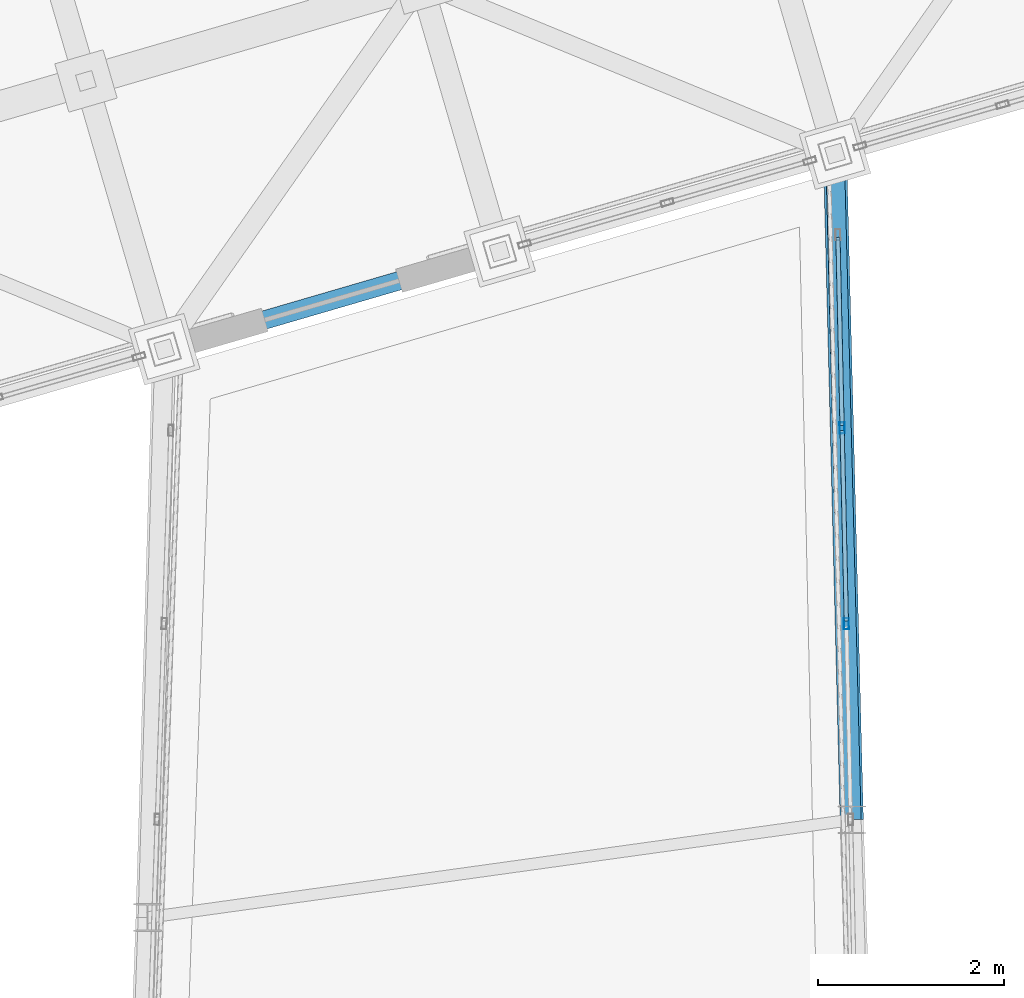
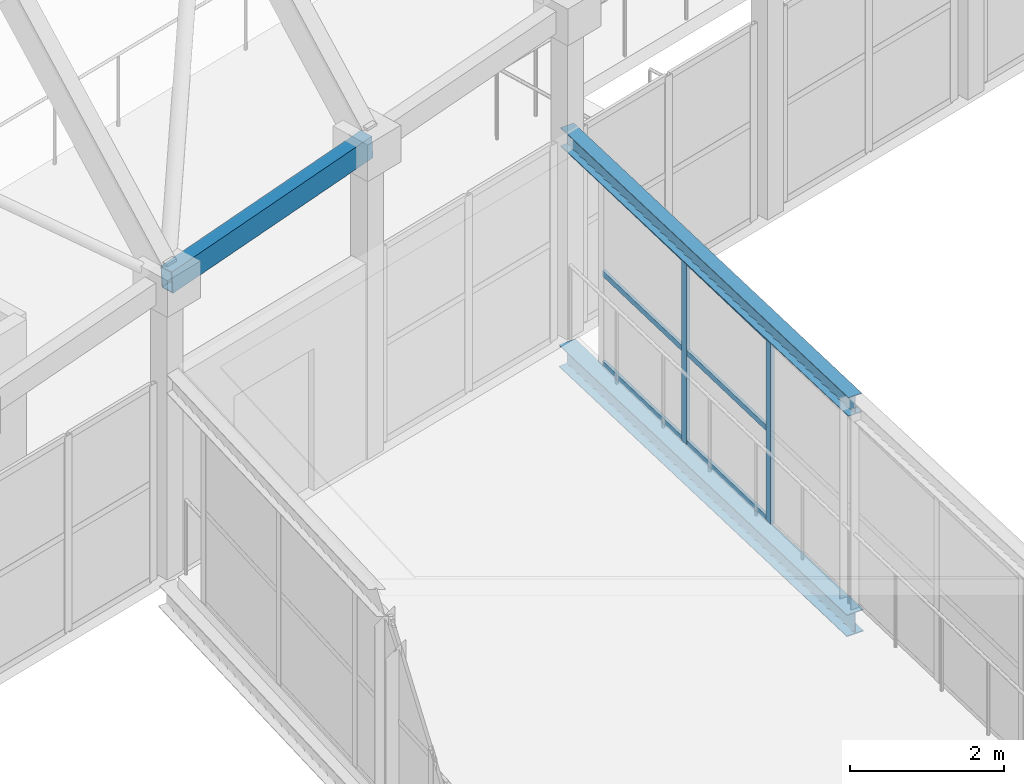
# One storey, part 43 of 248: 10 members, 1 beam, 1 element without a shape of its own.
"""IFC4 building model written with IfcOpenShell, lengths in metres."""

import ifcopenshell
import ifcopenshell.guid

model = None  # the IFC model being written
_history = None  # IfcOwnerHistory: only IFC2X3 demands one
_inside = {}  # id of a spatial element -> (the spatial element, [elements in it])
_under = {}  # id of a project, library or spatial element -> (it, [spatial elements below it])
_declared = {}  # id of a project -> (the project, [libraries it declares])
_typed = {}  # id of a type object -> (the type object, [elements of that type])
_made_of = {}  # id of a material, layer set ... -> (it, [elements and type objects made of it])


def new_model(schema):
    """Start an empty IFC model of exactly this schema.

    Asked for "IFC4X3", IfcOpenShell would pick the latest addendum, in which some entities
    have other attributes; the version numbers below select the first issue.
    IFC2X3 requires an IfcOwnerHistory on every rooted entity: one is made here for all.
    """
    global model, _history
    if schema == "IFC4X3":
        model = ifcopenshell.file(schema_version=(4, 3, 0, 0))
    else:
        model = ifcopenshell.file(schema=schema)
    _inside.clear()
    _under.clear()
    _declared.clear()
    _typed.clear()
    _made_of.clear()
    _history = None
    if model.schema == "IFC2X3":
        org = make("IfcOrganization", Name="unknown")
        user = make(
            "IfcPersonAndOrganization",
            ThePerson=make("IfcPerson", FamilyName="unknown"),
            TheOrganization=org,
        )
        app = make(
            "IfcApplication",
            ApplicationDeveloper=org,
            Version="unknown",
            ApplicationFullName="unknown",
            ApplicationIdentifier="unknown",
        )
        _history = make(
            "IfcOwnerHistory",
            OwningUser=user,
            OwningApplication=app,
            ChangeAction="ADDED",
            CreationDate=0,
        )
    return model


def make(cls, **values):
    """One entity of the class cls with the attributes given. An attribute that is None is left unset."""
    return model.create_entity(
        cls, **{name: value for name, value in values.items() if value is not None}
    )


def rooted(cls, **values):
    """An entity with a GlobalId (a new one), such as an element, a storey or a relation."""
    return make(cls, GlobalId=ifcopenshell.guid.new(), OwnerHistory=_history, **values)


def si_unit(unit_type, name, prefix=None):
    """IfcSIUnit, for example si_unit("LENGTHUNIT", "METRE", prefix="MILLI")."""
    return make("IfcSIUnit", UnitType=unit_type, Prefix=prefix, Name=name)


def assignment(units):
    """IfcUnitAssignment: the units of a project."""
    return None if units is None else make("IfcUnitAssignment", Units=units)


def point(xyz):
    """IfcCartesianPoint."""
    return None if xyz is None else make("IfcCartesianPoint", Coordinates=xyz)


def direction(xyz):
    """IfcDirection."""
    return None if xyz is None else make("IfcDirection", DirectionRatios=xyz)


def frame(location, z_axis=None, x_axis=None):
    """IfcAxis2Placement3D, a coordinate frame: its origin and axes. An axis left out is left unset."""
    return make(
        "IfcAxis2Placement3D",
        Location=point(location),
        Axis=direction(z_axis),
        RefDirection=direction(x_axis),
    )


def frame_2d(location, x_axis=None):
    """IfcAxis2Placement2D, a coordinate frame in the plane: its origin and x axis."""
    return make(
        "IfcAxis2Placement2D", Location=point(location), RefDirection=direction(x_axis)
    )


def origin():
    """The frame at (0, 0, 0) with its axes left unset."""
    return frame((0.0, 0.0, 0.0))


def origin_2d():
    """The frame at (0, 0) in the plane with its x axis left unset."""
    return frame_2d((0.0, 0.0))


def place(relative_to, where):
    """IfcLocalPlacement: puts the frame where relative to a parent placement (None: the world)."""
    return make(
        "IfcLocalPlacement", PlacementRelTo=relative_to, RelativePlacement=where
    )


def context(
    kind, dimensions, precision=None, world=None, true_north=None, identifier=None
):
    """IfcGeometricRepresentationContext, for example the 3D "Model" context."""
    return make(
        "IfcGeometricRepresentationContext",
        ContextIdentifier=identifier,
        ContextType=kind,
        CoordinateSpaceDimension=dimensions,
        Precision=precision,
        WorldCoordinateSystem=world,
        TrueNorth=true_north,
    )


def subcontext(parent, identifier, kind, view, scale=None):
    """IfcGeometricRepresentationSubContext, for example "Body" below "Model"."""
    return make(
        "IfcGeometricRepresentationSubContext",
        ContextIdentifier=identifier,
        ContextType=kind,
        ParentContext=parent,
        TargetScale=scale,
        TargetView=view,
    )


def project(units=None, contexts=None):
    """IfcProject with its units and contexts."""
    return rooted(
        "IfcProject",
        Name="project",
        RepresentationContexts=contexts,
        UnitsInContext=assignment(units),
    )


def spatial(cls, under=None, at=None, **own):
    """A site, building, storey or space (cls), placed at a placement, below another one or the project."""
    s = rooted(cls, ObjectPlacement=at, **own)
    if under is not None:
        _under.setdefault(under.id(), (under, []))[1].append(s)
    return s


def profile(cls, at=None, kind="AREA", **sizes):
    """A parametric profile (cls). Its sizes go by their IFC names, for example OverallWidth=200.0."""
    return make(cls, ProfileType=kind, Position=at, **sizes)


def hollow_rectangle(**sizes):
    """IfcRectangleHollowProfileDef."""
    return profile("IfcRectangleHollowProfileDef", **sizes)


def i_section(**sizes):
    """IfcIShapeProfileDef."""
    return profile("IfcIShapeProfileDef", **sizes)


def extrude(swept, where, along, depth):
    """IfcExtrudedAreaSolid: the profile swept, set in the frame where, extruded along a direction by depth."""
    return make(
        "IfcExtrudedAreaSolid",
        SweptArea=swept,
        Position=where,
        ExtrudedDirection=direction(along),
        Depth=depth,
    )


def shape(context_of_items, identifier, shape_type, items):
    """IfcShapeRepresentation: the items that make up one representation, for example the "Body"."""
    return make(
        "IfcShapeRepresentation",
        ContextOfItems=context_of_items,
        RepresentationIdentifier=identifier,
        RepresentationType=shape_type,
        Items=items,
    )


def material(Name=None, Category=None):
    """IfcMaterial."""
    return make("IfcMaterial", Name=Name, Category=Category)


def layer(
    of_material, thickness, ventilated=None, Name=None, Category=None, Priority=None
):
    """IfcMaterialLayer: one layer of a wall or slab, of a material (None: an air gap)."""
    return make(
        "IfcMaterialLayer",
        Material=of_material,
        LayerThickness=thickness,
        IsVentilated=ventilated,
        Name=Name,
        Category=Category,
        Priority=Priority,
    )


def layer_set(layers, Name=None):
    """IfcMaterialLayerSet."""
    return make("IfcMaterialLayerSet", MaterialLayers=layers, LayerSetName=Name)


def material_profile(
    of_material, cross_section, Name=None, Category=None, Priority=None
):
    """IfcMaterialProfile: a cross section and its material."""
    return make(
        "IfcMaterialProfile",
        Name=Name,
        Material=of_material,
        Profile=cross_section,
        Priority=Priority,
        Category=Category,
    )


def profile_set(profiles, Name=None, composite=None):
    """IfcMaterialProfileSet."""
    return make(
        "IfcMaterialProfileSet",
        Name=Name,
        MaterialProfiles=profiles,
        CompositeProfile=composite,
    )


def made_of(thing, what):
    """Note that an element or type object is made of a material, layer set ...; save() writes the relation."""
    if what is not None:
        _made_of.setdefault(what.id(), (what, []))[1].append(thing)
    return thing


def type_object(cls, material=None, **own):
    """A type object (cls), such as IfcWallType, which elements share."""
    return made_of(rooted(cls, **own), material)


def element(
    cls,
    number,
    at=None,
    inside=None,
    cuts=None,
    type_object=None,
    material=None,
    context=None,
    identifier="Body",
    shape_type=None,
    held_by="IfcProductDefinitionShape",
    body=None,
    shapes=None,
    **own,
):
    """One element of the class cls, such as IfcWall. Its Tag is "e" and its number.

    at: its placement. inside: the storey or other place that contains it. cuts: it is an
    opening in that element (IfcRelVoidsElement). A single representation is given by context,
    identifier, shape_type and body (its items); several are given by shapes. held_by: the class
    of the entity that holds the representations. save() writes the other relations.
    """
    e = rooted(cls, Tag="e%d" % number, ObjectPlacement=at, **own)
    if body is not None:
        shapes = [shape(context, identifier, shape_type, body)]
    if shapes is not None:
        e.Representation = make(held_by, Representations=shapes)
    if inside is not None:
        _inside.setdefault(inside.id(), (inside, []))[1].append(e)
    if cuts is not None:
        rooted(
            "IfcRelVoidsElement", RelatingBuildingElement=cuts, RelatedOpeningElement=e
        )
    if type_object is not None:
        _typed.setdefault(type_object.id(), (type_object, []))[1].append(e)
    return made_of(e, material)


def aggregate(whole, parts):
    """IfcRelAggregates: a whole, such as a stair, and the parts it consists of."""
    return rooted("IfcRelAggregates", RelatingObject=whole, RelatedObjects=parts)


def save(model, path):
    """Write the relations noted so far, then the file.

    IfcRelAggregates (storeys below a building ...), IfcRelContainedInSpatialStructure (elements
    in a storey), IfcRelDefinesByType, IfcRelAssociatesMaterial and IfcRelDeclares: one each for
    every whole, place, type object, material and project.
    """
    for whole, parts in _under.values():
        aggregate(whole, parts)
    for where, things in _inside.values():
        rooted(
            "IfcRelContainedInSpatialStructure",
            RelatedElements=things,
            RelatingStructure=where,
        )
    for kind, things in _typed.values():
        rooted("IfcRelDefinesByType", RelatedObjects=things, RelatingType=kind)
    for what, things in _made_of.values():
        rooted("IfcRelAssociatesMaterial", RelatedObjects=things, RelatingMaterial=what)
    for by, libraries in _declared.values():
        rooted("IfcRelDeclares", RelatingContext=by, RelatedDefinitions=libraries)
    model.write(path)


model = new_model("IFC4")

# Units and contexts
model_context = context("Model", 3, precision=1e-05, world=origin(), true_north=direction((0.0, 1.0)))
body_context = subcontext(model_context, "Body", "Model", "MODEL_VIEW")
ifc_project = project(units=[si_unit("LENGTHUNIT", "METRE"), si_unit("AREAUNIT", "SQUARE_METRE"), si_unit("VOLUMEUNIT", "CUBIC_METRE"), si_unit("PLANEANGLEUNIT", "RADIAN"), si_unit("MASSUNIT", "GRAM", prefix="KILO")], contexts=[model_context])

# Site, building, storey
site_placement = place(None, origin())
site = spatial("IfcSite", under=ifc_project, at=site_placement, CompositionType="ELEMENT")
building_placement = place(site_placement, origin())
building = spatial("IfcBuilding", under=site, at=building_placement, Name="Canggui Botanical Conservatory", CompositionType="ELEMENT")
storey_placement = place(building_placement, frame((0.0, 0.0, 5.39990234375)))
storey = spatial("IfcBuildingStorey", under=building, at=storey_placement, Name="L02", CompositionType="ELEMENT", Elevation=5.39990234375)

# Beam
ifc_material_1 = material(Name="Steel Q355C", Category="steel")
ifc_material_profile_1 = material_profile(ifc_material_1, hollow_rectangle(XDim=0.199951171875, YDim=0.35009765625, WallThickness=0.011962890625, at=origin_2d()), Name="RHS 200x350x12")
ifc_profile_set_1 = profile_set([ifc_material_profile_1], Name="Steel Q355C")
beam_type = type_object("IfcBeamType", Name="BM-RING01", PredefinedType="BEAM", material=ifc_profile_set_1)
beam_placement = place(storey_placement, frame((34.39990234375, 46.199951171875, 4.60009765625), z_axis=(0.957872417874, 0.27938486839, 0.066517113516), x_axis=(-0.280004999853, 0.959998541695, 0.0)))
element("IfcBeam", 1, at=beam_placement, inside=storey, type_object=beam_type, Name="Conservatory Perimeter Ring Beam V0-05", PredefinedType="BEAM", context=body_context, shape_type="SweptSolid", body=[
    extrude(hollow_rectangle(XDim=0.199951171875, YDim=0.35009765625, WallThickness=0.011962890625, at=origin_2d()), origin(), (0.0, 0.0, 1.0), 3.758544921875),
])

# Curtain wall, members
ifc_material_2 = material(Name="Thermally Broken Aluminium", Category="aluminium")
ifc_layer = layer(ifc_material_2, 0.1201171875, Name="Thermally Broken Aluminium", Category="aluminium")
ifc_layer_set = layer_set([ifc_layer], Name="Thermally Broken Aluminium")
curtain_wall_type = type_object("IfcCurtainWallType", Name="CW-STICK-B", PredefinedType="USERDEFINED", material=ifc_layer_set)
curtain_wall_placement = place(storey_placement, origin())
curtain_wall = element("IfcCurtainWall", 2, at=curtain_wall_placement, inside=storey, type_object=curtain_wall_type, Name="Facade Curtain Wall CW-SB-02-2", ObjectType="STICK GLAZED WALL", PredefinedType="USERDEFINED")
ifc_material_profile_2 = material_profile(ifc_material_2, hollow_rectangle(XDim=0.054931640625, YDim=0.1201171875, WallThickness=0.0029296875, at=origin_2d()), Name="CWM 55x120x3")
ifc_profile_set_2 = profile_set([ifc_material_profile_2], Name="Thermally Broken Aluminium")
member_type_1 = type_object("IfcMemberType", Name="CWM-05", PredefinedType="MULLION", material=ifc_profile_set_2)
member_1_placement = place(storey_placement, frame((41.72216796875, 43.254638671875, 0.0), z_axis=(0.0, 0.0, 1.0), x_axis=(-0.999761186008, -0.021853396804, 0.0)))
member_1 = element("IfcMember", 3, at=member_1_placement, type_object=member_type_1, Name="CW-05 mullion 5", PredefinedType="MULLION", context=body_context, shape_type="SweptSolid", body=[
    extrude(hollow_rectangle(XDim=0.054931640625, YDim=0.1201171875, WallThickness=0.0029296875, at=origin_2d()), origin(), (0.0, 0.0, 1.0), 2.900146484375),
])
member_2_placement = place(storey_placement, frame((41.676025390625, 45.35595703125, 0.0), z_axis=(0.0, 0.0, 1.0), x_axis=(-0.999761186008, -0.021853396804, 0.0)))
member_2 = element("IfcMember", 4, at=member_2_placement, type_object=member_type_1, Name="CW-05 mullion 6", PredefinedType="MULLION", context=body_context, shape_type="SweptSolid", body=[
    extrude(hollow_rectangle(XDim=0.054931640625, YDim=0.1201171875, WallThickness=0.0029296875, at=origin_2d()), origin(), (0.0, 0.0, 1.0), 2.900146484375),
])
ifc_material_profile_3 = material_profile(ifc_material_2, hollow_rectangle(XDim=0.044921875, YDim=0.090087890625, WallThickness=0.0029296875, at=origin_2d()), Name="CWT 45x90x3")
ifc_profile_set_3 = profile_set([ifc_material_profile_3], Name="Thermally Broken Aluminium")
member_type_2 = type_object("IfcMemberType", Name="CWT-05", PredefinedType="USERDEFINED", material=ifc_profile_set_3)
member_3_placement = place(storey_placement, frame((41.721435546875, 43.281982421875, 0.022705078125), z_axis=(-0.021827296753, 0.999761756178, 0.0), x_axis=(-0.999761756178, -0.021827296753, 0.0)))
member_3 = element("IfcMember", 5, at=member_3_placement, type_object=member_type_2, Name="CW-05 transom 5.1", ObjectType="TRANSOM", PredefinedType="USERDEFINED", context=body_context, shape_type="SweptSolid", body=[
    extrude(hollow_rectangle(XDim=0.044921875, YDim=0.090087890625, WallThickness=0.0029296875, at=origin_2d()), origin(), (0.0, 0.0, 1.0), 2.046875),
])
member_4_placement = place(storey_placement, frame((41.721435546875, 43.281982421875, 1.4501953125), z_axis=(-0.021827296753, 0.999761756178, 0.0), x_axis=(-0.999761756178, -0.021827296753, 0.0)))
member_4 = element("IfcMember", 6, at=member_4_placement, type_object=member_type_2, Name="CW-05 transom 5.2", ObjectType="TRANSOM", PredefinedType="USERDEFINED", context=body_context, shape_type="SweptSolid", body=[
    extrude(hollow_rectangle(XDim=0.044921875, YDim=0.090087890625, WallThickness=0.0029296875, at=origin_2d()), origin(), (0.0, 0.0, 1.0), 2.046875),
])
member_5_placement = place(storey_placement, frame((41.721435546875, 43.281982421875, 2.877685546875), z_axis=(-0.021827296753, 0.999761756178, 0.0), x_axis=(-0.999761756178, -0.021827296753, 0.0)))
member_5 = element("IfcMember", 7, at=member_5_placement, type_object=member_type_2, Name="CW-05 transom 5.3", ObjectType="TRANSOM", PredefinedType="USERDEFINED", context=body_context, shape_type="SweptSolid", body=[
    extrude(hollow_rectangle(XDim=0.044921875, YDim=0.090087890625, WallThickness=0.0029296875, at=origin_2d()), origin(), (0.0, 0.0, 1.0), 2.046875),
])
member_6_placement = place(storey_placement, frame((41.675537109375, 45.38330078125, 0.022705078125), z_axis=(-0.021881096132, 0.999760580155, 0.0), x_axis=(-0.999760580155, -0.021881096132, 0.0)))
member_6 = element("IfcMember", 8, at=member_6_placement, type_object=member_type_2, Name="CW-05 transom 6.1", ObjectType="TRANSOM", PredefinedType="USERDEFINED", context=body_context, shape_type="SweptSolid", body=[
    extrude(hollow_rectangle(XDim=0.044921875, YDim=0.090087890625, WallThickness=0.0029296875, at=origin_2d()), origin(), (0.0, 0.0, 1.0), 2.01953125),
])
member_7_placement = place(storey_placement, frame((41.675537109375, 45.38330078125, 1.4501953125), z_axis=(-0.021881096132, 0.999760580155, 0.0), x_axis=(-0.999760580155, -0.021881096132, 0.0)))
member_7 = element("IfcMember", 9, at=member_7_placement, type_object=member_type_2, Name="CW-05 transom 6.2", ObjectType="TRANSOM", PredefinedType="USERDEFINED", context=body_context, shape_type="SweptSolid", body=[
    extrude(hollow_rectangle(XDim=0.044921875, YDim=0.090087890625, WallThickness=0.0029296875, at=origin_2d()), origin(), (0.0, 0.0, 1.0), 2.01953125),
])
member_8_placement = place(storey_placement, frame((41.675537109375, 45.38330078125, 2.877685546875), z_axis=(-0.021881096132, 0.999760580155, 0.0), x_axis=(-0.999760580155, -0.021881096132, 0.0)))
member_8 = element("IfcMember", 10, at=member_8_placement, type_object=member_type_2, Name="CW-05 transom 6.3", ObjectType="TRANSOM", PredefinedType="USERDEFINED", context=body_context, shape_type="SweptSolid", body=[
    extrude(hollow_rectangle(XDim=0.044921875, YDim=0.090087890625, WallThickness=0.0029296875, at=origin_2d()), origin(), (0.0, 0.0, 1.0), 2.01953125),
])
aggregate(curtain_wall, [member_1, member_2, member_3, member_4, member_5, member_6, member_7, member_8])

# Members
ifc_material_3 = material(Name="Steel Q355B", Category="steel")
ifc_material_profile_4 = material_profile(ifc_material_3, i_section(OverallWidth=0.25, OverallDepth=0.35009765625, WebThickness=0.009033203125, FlangeThickness=0.013916015625, FilletRadius=0.02001953125, at=origin_2d()), Name="HM 350x250x9x14")
ifc_profile_set_4 = profile_set([ifc_material_profile_4], Name="Steel Q355B")
member_type_3 = type_object("IfcMemberType", Name="MEM-TC03", PredefinedType="CHORD", material=ifc_profile_set_4)
member_9_placement = place(storey_placement, frame((41.780029296875, 41.14990234375, -0.349853515625), z_axis=(-0.025156784675, 0.999683518012, 0.0), x_axis=(-0.999683518012, -0.025156784675, 0.0)))
element("IfcMember", 11, at=member_9_placement, inside=storey, type_object=member_type_3, Name="SB-02 Deck Truss Bottom Chord 2.2", PredefinedType="CHORD", context=body_context, shape_type="SweptSolid", body=[
    extrude(i_section(OverallWidth=0.25, OverallDepth=0.35009765625, WebThickness=0.009033203125, FlangeThickness=0.013916015625, FilletRadius=0.02001953125, at=origin_2d()), origin(), (0.0, 0.0, 1.0), 7.15234375),
])
ifc_material_profile_5 = material_profile(ifc_material_3, i_section(OverallWidth=0.199951171875, OverallDepth=0.300048828125, WebThickness=0.008056640625, FlangeThickness=0.011962890625, FilletRadius=0.01806640625, at=origin_2d()), Name="HM 300x200x8x12")
ifc_profile_set_5 = profile_set([ifc_material_profile_5], Name="Steel Q355B")
member_type_4 = type_object("IfcMemberType", Name="MEM-TC04", PredefinedType="CHORD", material=ifc_profile_set_5)
member_10_placement = place(storey_placement, frame((41.780029296875, 41.14990234375, 3.10009765625), z_axis=(-0.025156784675, 0.999683518012, 0.0), x_axis=(-0.999683518012, -0.025156784675, 0.0)))
element("IfcMember", 12, at=member_10_placement, inside=storey, type_object=member_type_4, Name="SB-02 Roof Truss Top Chord 2.2", PredefinedType="CHORD", context=body_context, shape_type="SweptSolid", body=[
    extrude(i_section(OverallWidth=0.199951171875, OverallDepth=0.300048828125, WebThickness=0.008056640625, FlangeThickness=0.011962890625, FilletRadius=0.01806640625, at=origin_2d()), origin(), (0.0, 0.0, 1.0), 7.15234375),
])

save(model, "model.ifc")
